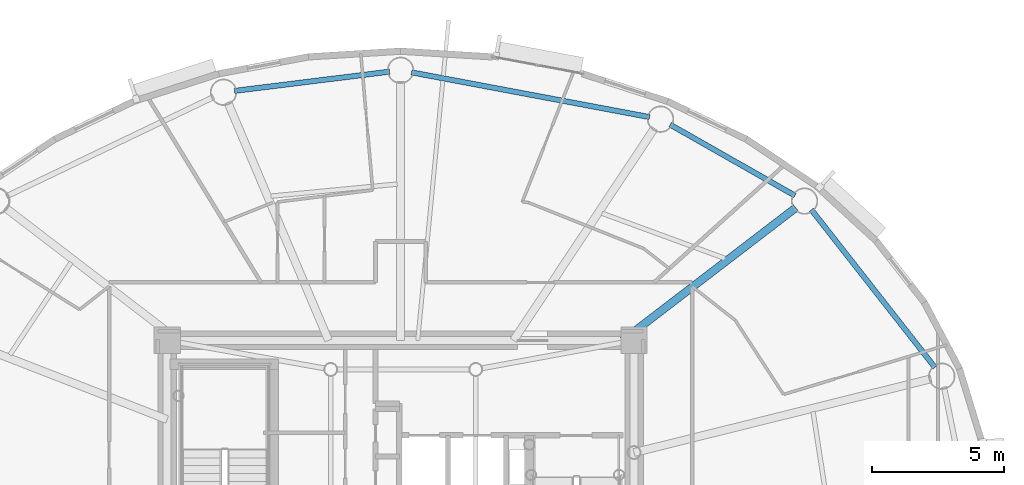
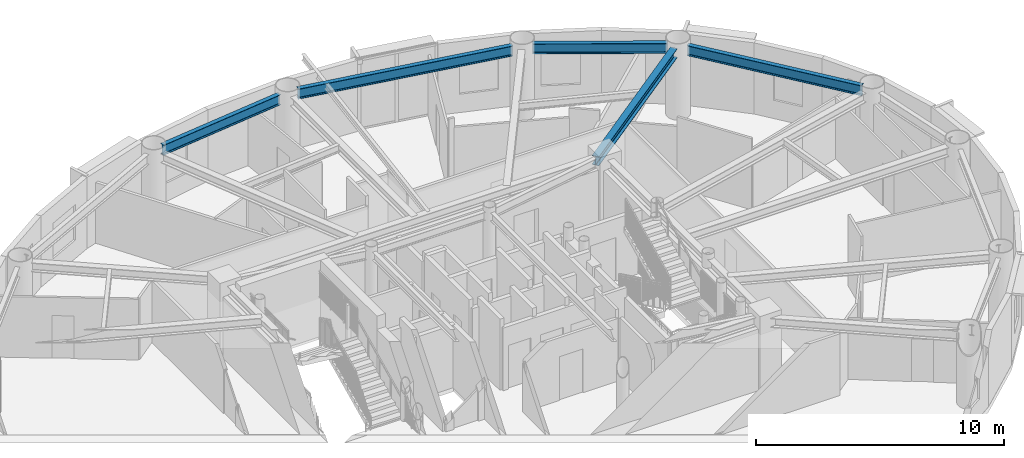
# One storey, part 3 of 17: 5 beams.
"""IFC4 building model written with IfcOpenShell, lengths in metres."""

import ifcopenshell
import ifcopenshell.guid

model = None  # the IFC model being written
_history = None  # IfcOwnerHistory: only IFC2X3 demands one
_inside = {}  # id of a spatial element -> (the spatial element, [elements in it])
_under = {}  # id of a project, library or spatial element -> (it, [spatial elements below it])
_declared = {}  # id of a project -> (the project, [libraries it declares])
_typed = {}  # id of a type object -> (the type object, [elements of that type])
_made_of = {}  # id of a material, layer set ... -> (it, [elements and type objects made of it])


def new_model(schema):
    """Start an empty IFC model of exactly this schema.

    Asked for "IFC4X3", IfcOpenShell would pick the latest addendum, in which some entities
    have other attributes; the version numbers below select the first issue.
    IFC2X3 requires an IfcOwnerHistory on every rooted entity: one is made here for all.
    """
    global model, _history
    if schema == "IFC4X3":
        model = ifcopenshell.file(schema_version=(4, 3, 0, 0))
    else:
        model = ifcopenshell.file(schema=schema)
    _inside.clear()
    _under.clear()
    _declared.clear()
    _typed.clear()
    _made_of.clear()
    _history = None
    if model.schema == "IFC2X3":
        org = make("IfcOrganization", Name="unknown")
        user = make(
            "IfcPersonAndOrganization",
            ThePerson=make("IfcPerson", FamilyName="unknown"),
            TheOrganization=org,
        )
        app = make(
            "IfcApplication",
            ApplicationDeveloper=org,
            Version="unknown",
            ApplicationFullName="unknown",
            ApplicationIdentifier="unknown",
        )
        _history = make(
            "IfcOwnerHistory",
            OwningUser=user,
            OwningApplication=app,
            ChangeAction="ADDED",
            CreationDate=0,
        )
    return model


def make(cls, **values):
    """One entity of the class cls with the attributes given. An attribute that is None is left unset."""
    return model.create_entity(
        cls, **{name: value for name, value in values.items() if value is not None}
    )


def rooted(cls, **values):
    """An entity with a GlobalId (a new one), such as an element, a storey or a relation."""
    return make(cls, GlobalId=ifcopenshell.guid.new(), OwnerHistory=_history, **values)


def si_unit(unit_type, name, prefix=None):
    """IfcSIUnit, for example si_unit("LENGTHUNIT", "METRE", prefix="MILLI")."""
    return make("IfcSIUnit", UnitType=unit_type, Prefix=prefix, Name=name)


def assignment(units):
    """IfcUnitAssignment: the units of a project."""
    return None if units is None else make("IfcUnitAssignment", Units=units)


def point(xyz):
    """IfcCartesianPoint."""
    return None if xyz is None else make("IfcCartesianPoint", Coordinates=xyz)


def direction(xyz):
    """IfcDirection."""
    return None if xyz is None else make("IfcDirection", DirectionRatios=xyz)


def frame(location, z_axis=None, x_axis=None):
    """IfcAxis2Placement3D, a coordinate frame: its origin and axes. An axis left out is left unset."""
    return make(
        "IfcAxis2Placement3D",
        Location=point(location),
        Axis=direction(z_axis),
        RefDirection=direction(x_axis),
    )


def frame_2d(location, x_axis=None):
    """IfcAxis2Placement2D, a coordinate frame in the plane: its origin and x axis."""
    return make(
        "IfcAxis2Placement2D", Location=point(location), RefDirection=direction(x_axis)
    )


def origin():
    """The frame at (0, 0, 0) with its axes left unset."""
    return frame((0.0, 0.0, 0.0))


def origin_2d():
    """The frame at (0, 0) in the plane with its x axis left unset."""
    return frame_2d((0.0, 0.0))


def place(relative_to, where):
    """IfcLocalPlacement: puts the frame where relative to a parent placement (None: the world)."""
    return make(
        "IfcLocalPlacement", PlacementRelTo=relative_to, RelativePlacement=where
    )


def context(
    kind, dimensions, precision=None, world=None, true_north=None, identifier=None
):
    """IfcGeometricRepresentationContext, for example the 3D "Model" context."""
    return make(
        "IfcGeometricRepresentationContext",
        ContextIdentifier=identifier,
        ContextType=kind,
        CoordinateSpaceDimension=dimensions,
        Precision=precision,
        WorldCoordinateSystem=world,
        TrueNorth=true_north,
    )


def subcontext(parent, identifier, kind, view, scale=None):
    """IfcGeometricRepresentationSubContext, for example "Body" below "Model"."""
    return make(
        "IfcGeometricRepresentationSubContext",
        ContextIdentifier=identifier,
        ContextType=kind,
        ParentContext=parent,
        TargetScale=scale,
        TargetView=view,
    )


def project(units=None, contexts=None):
    """IfcProject with its units and contexts."""
    return rooted(
        "IfcProject",
        Name="project",
        RepresentationContexts=contexts,
        UnitsInContext=assignment(units),
    )


def spatial(cls, under=None, at=None, **own):
    """A site, building, storey or space (cls), placed at a placement, below another one or the project."""
    s = rooted(cls, ObjectPlacement=at, **own)
    if under is not None:
        _under.setdefault(under.id(), (under, []))[1].append(s)
    return s


def profile(cls, at=None, kind="AREA", **sizes):
    """A parametric profile (cls). Its sizes go by their IFC names, for example OverallWidth=200.0."""
    return make(cls, ProfileType=kind, Position=at, **sizes)


def i_section(**sizes):
    """IfcIShapeProfileDef."""
    return profile("IfcIShapeProfileDef", **sizes)


def extrude(swept, where, along, depth):
    """IfcExtrudedAreaSolid: the profile swept, set in the frame where, extruded along a direction by depth."""
    return make(
        "IfcExtrudedAreaSolid",
        SweptArea=swept,
        Position=where,
        ExtrudedDirection=direction(along),
        Depth=depth,
    )


def shape(context_of_items, identifier, shape_type, items):
    """IfcShapeRepresentation: the items that make up one representation, for example the "Body"."""
    return make(
        "IfcShapeRepresentation",
        ContextOfItems=context_of_items,
        RepresentationIdentifier=identifier,
        RepresentationType=shape_type,
        Items=items,
    )


def material(Name=None, Category=None):
    """IfcMaterial."""
    return make("IfcMaterial", Name=Name, Category=Category)


def material_profile(
    of_material, cross_section, Name=None, Category=None, Priority=None
):
    """IfcMaterialProfile: a cross section and its material."""
    return make(
        "IfcMaterialProfile",
        Name=Name,
        Material=of_material,
        Profile=cross_section,
        Priority=Priority,
        Category=Category,
    )


def profile_set(profiles, Name=None, composite=None):
    """IfcMaterialProfileSet."""
    return make(
        "IfcMaterialProfileSet",
        Name=Name,
        MaterialProfiles=profiles,
        CompositeProfile=composite,
    )


def made_of(thing, what):
    """Note that an element or type object is made of a material, layer set ...; save() writes the relation."""
    if what is not None:
        _made_of.setdefault(what.id(), (what, []))[1].append(thing)
    return thing


def type_object(cls, material=None, **own):
    """A type object (cls), such as IfcWallType, which elements share."""
    return made_of(rooted(cls, **own), material)


def element(
    cls,
    number,
    at=None,
    inside=None,
    cuts=None,
    type_object=None,
    material=None,
    context=None,
    identifier="Body",
    shape_type=None,
    held_by="IfcProductDefinitionShape",
    body=None,
    shapes=None,
    **own,
):
    """One element of the class cls, such as IfcWall. Its Tag is "e" and its number.

    at: its placement. inside: the storey or other place that contains it. cuts: it is an
    opening in that element (IfcRelVoidsElement). A single representation is given by context,
    identifier, shape_type and body (its items); several are given by shapes. held_by: the class
    of the entity that holds the representations. save() writes the other relations.
    """
    e = rooted(cls, Tag="e%d" % number, ObjectPlacement=at, **own)
    if body is not None:
        shapes = [shape(context, identifier, shape_type, body)]
    if shapes is not None:
        e.Representation = make(held_by, Representations=shapes)
    if inside is not None:
        _inside.setdefault(inside.id(), (inside, []))[1].append(e)
    if cuts is not None:
        rooted(
            "IfcRelVoidsElement", RelatingBuildingElement=cuts, RelatedOpeningElement=e
        )
    if type_object is not None:
        _typed.setdefault(type_object.id(), (type_object, []))[1].append(e)
    return made_of(e, material)


def aggregate(whole, parts):
    """IfcRelAggregates: a whole, such as a stair, and the parts it consists of."""
    return rooted("IfcRelAggregates", RelatingObject=whole, RelatedObjects=parts)


def save(model, path):
    """Write the relations noted so far, then the file.

    IfcRelAggregates (storeys below a building ...), IfcRelContainedInSpatialStructure (elements
    in a storey), IfcRelDefinesByType, IfcRelAssociatesMaterial and IfcRelDeclares: one each for
    every whole, place, type object, material and project.
    """
    for whole, parts in _under.values():
        aggregate(whole, parts)
    for where, things in _inside.values():
        rooted(
            "IfcRelContainedInSpatialStructure",
            RelatedElements=things,
            RelatingStructure=where,
        )
    for kind, things in _typed.values():
        rooted("IfcRelDefinesByType", RelatedObjects=things, RelatingType=kind)
    for what, things in _made_of.values():
        rooted("IfcRelAssociatesMaterial", RelatedObjects=things, RelatingMaterial=what)
    for by, libraries in _declared.values():
        rooted("IfcRelDeclares", RelatingContext=by, RelatedDefinitions=libraries)
    model.write(path)


model = new_model("IFC4")

# Units and contexts
model_context = context("Model", 3, precision=1e-05, world=origin(), true_north=direction((0.0, 1.0)))
body_context = subcontext(model_context, "Body", "Model", "MODEL_VIEW")
ifc_project = project(units=[si_unit("LENGTHUNIT", "METRE"), si_unit("AREAUNIT", "SQUARE_METRE"), si_unit("VOLUMEUNIT", "CUBIC_METRE"), si_unit("PLANEANGLEUNIT", "RADIAN"), si_unit("MASSUNIT", "GRAM", prefix="KILO")], contexts=[model_context])

# Site, building, storey
site_placement = place(None, origin())
site = spatial("IfcSite", under=ifc_project, at=site_placement, CompositionType="ELEMENT")
building_placement = place(site_placement, origin())
building = spatial("IfcBuilding", under=site, at=building_placement, Name="Linh Dai School and Residence Tower", CompositionType="ELEMENT")
storey_placement = place(building_placement, frame((0.0, 0.0, 284.25)))
storey = spatial("IfcBuildingStorey", under=building, at=storey_placement, Name="L70", CompositionType="ELEMENT", Elevation=284.25)

# Beams
ifc_material = material(Name="Structural Steel S355JR", Category="steel")
ifc_material_profile_1 = material_profile(ifc_material, i_section(OverallWidth=0.199951171875, OverallDepth=0.5, WebThickness=0.01025390625, FlangeThickness=0.01611328125, FilletRadius=0.02099609375, at=origin_2d()), Name="IPE 500")
ifc_profile_set_1 = profile_set([ifc_material_profile_1], Name="Structural Steel S355JR")
beam_type_1 = type_object("IfcBeamType", Name="BM-RB50", PredefinedType="BEAM", material=ifc_profile_set_1)
beam_1_placement = place(storey_placement, frame((56.259521484375, 32.425048828125, 3.25), z_axis=(-0.616882739554, 0.787055071542, 0.0), x_axis=(-0.787055071542, -0.616882739554, 0.0)))
element("IfcBeam", 1, at=beam_1_placement, inside=storey, type_object=beam_type_1, Name="L70 Perimeter Elliptical Ring Beam 02", PredefinedType="BEAM", context=body_context, shape_type="SweptSolid", body=[
    extrude(i_section(OverallWidth=0.199951171875, OverallDepth=0.5, WebThickness=0.01025390625, FlangeThickness=0.01611328125, FilletRadius=0.02099609375, at=origin_2d()), origin(), (0.0, 0.0, 1.0), 7.59521484375),
])
beam_2_placement = place(storey_placement, frame((50.949951171875, 38.94091796875, 3.25), z_axis=(-0.869265548778, 0.494345431564, 0.0), x_axis=(-0.494345431564, -0.869265548778, 0.0)))
element("IfcBeam", 2, at=beam_2_placement, inside=storey, type_object=beam_type_1, Name="L70 Perimeter Elliptical Ring Beam 03", PredefinedType="BEAM", context=body_context, shape_type="SweptSolid", body=[
    extrude(i_section(OverallWidth=0.199951171875, OverallDepth=0.5, WebThickness=0.01025390625, FlangeThickness=0.01611328125, FilletRadius=0.02099609375, at=origin_2d()), origin(), (0.0, 0.0, 1.0), 5.44189453125),
])
beam_3_placement = place(storey_placement, frame((45.441650390625, 41.916259765625, 3.25), z_axis=(-0.982805333306, 0.184644731378, 0.0), x_axis=(-0.184644731378, -0.982805333306, 0.0)))
element("IfcBeam", 3, at=beam_3_placement, inside=storey, type_object=beam_type_1, Name="L70 Perimeter Elliptical Ring Beam 04", PredefinedType="BEAM", context=body_context, shape_type="SweptSolid", body=[
    extrude(i_section(OverallWidth=0.199951171875, OverallDepth=0.5, WebThickness=0.01025390625, FlangeThickness=0.01611328125, FilletRadius=0.02099609375, at=origin_2d()), origin(), (0.0, 0.0, 1.0), 9.186767578125),
])
beam_4_placement = place(storey_placement, frame((35.583251953125, 43.638427734375, 3.25), z_axis=(-0.992399134443, -0.123060789678, 0.0), x_axis=(0.123060789678, -0.992399134443, 0.0)))
element("IfcBeam", 4, at=beam_4_placement, inside=storey, type_object=beam_type_1, Name="L70 Perimeter Elliptical Ring Beam 05", PredefinedType="BEAM", context=body_context, shape_type="SweptSolid", body=[
    extrude(i_section(OverallWidth=0.199951171875, OverallDepth=0.5, WebThickness=0.01025390625, FlangeThickness=0.01611328125, FilletRadius=0.02099609375, at=origin_2d()), origin(), (0.0, 0.0, 1.0), 5.923828125),
])
ifc_material_profile_2 = material_profile(ifc_material, i_section(OverallWidth=0.300048828125, OverallDepth=0.449951171875, WebThickness=0.013916015625, FlangeThickness=0.02587890625, FilletRadius=0.027099609375, at=origin_2d()), Name="HEB 450")
ifc_profile_set_2 = profile_set([ifc_material_profile_2], Name="Structural Steel S355JR")
beam_type_2 = type_object("IfcBeamType", Name="BM-RG45", PredefinedType="BEAM", material=ifc_profile_set_2)
beam_5_placement = place(storey_placement, frame((44.4189453125, 33.449951171875, 3.27490234375), z_axis=(0.793802616583, 0.608175472956, 0.0), x_axis=(-0.608175472956, 0.793802616583, 0.0)))
element("IfcBeam", 5, at=beam_5_placement, inside=storey, type_object=beam_type_2, Name="L70 Primary Radial Floor Girder 03", PredefinedType="BEAM", context=body_context, shape_type="SweptSolid", body=[
    extrude(i_section(OverallWidth=0.300048828125, OverallDepth=0.449951171875, WebThickness=0.013916015625, FlangeThickness=0.02587890625, FilletRadius=0.027099609375, at=origin_2d()), origin(), (0.0, 0.0, 1.0), 8.267578125),
])

save(model, "model.ifc")
